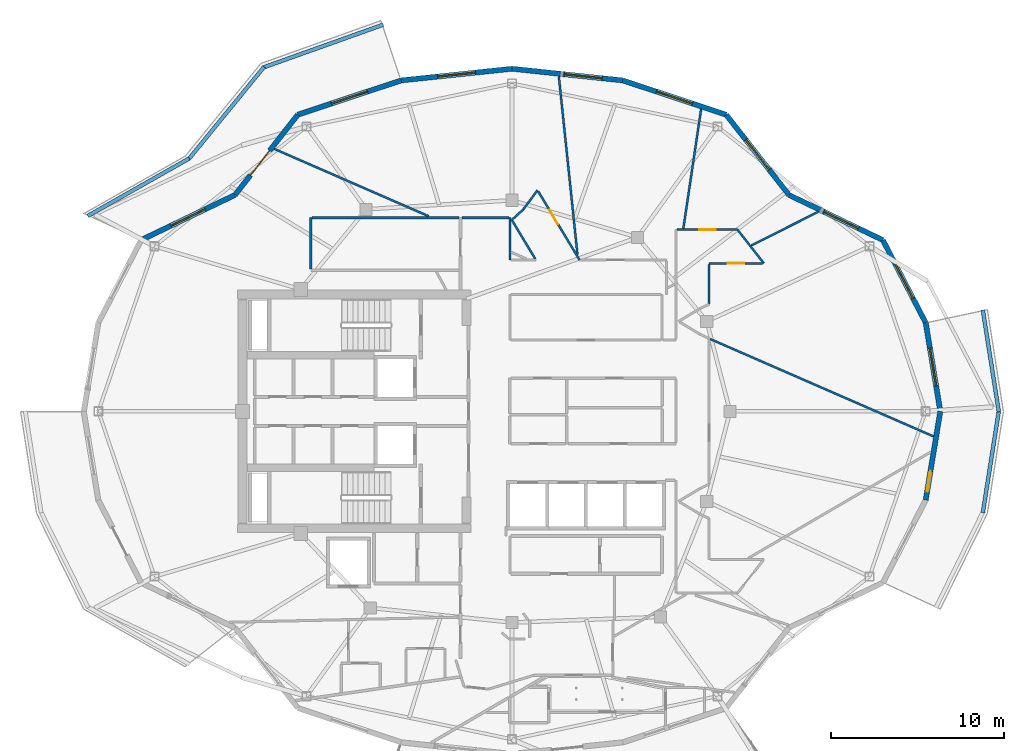
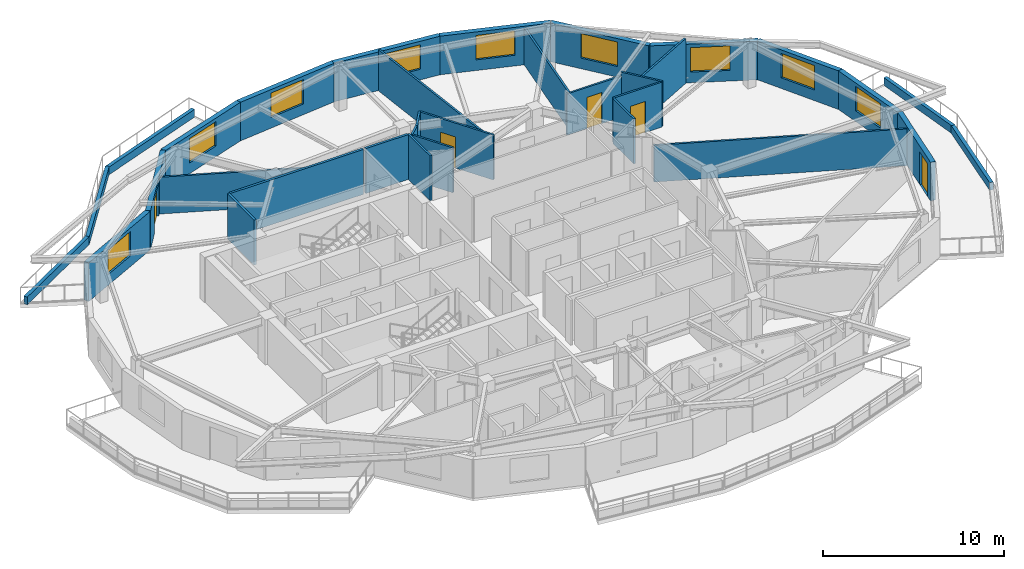
# One storey, part 7 of 18: 33 walls, 9 windows, 5 doors, 14 openings.
"""IFC4 building model written with IfcOpenShell, lengths in metres."""

from ifc_helpers import new_model, si_unit, direction, frame, frame_2d, origin, place, context, subcontext, project, spatial, rectangle, extrude, material, layer, layer_set, type_object, element, fill, save


model = new_model("IFC4")

# Units and contexts
model_context = context("Model", 3, precision=1e-05, world=origin(), true_north=direction((0.0, 1.0)))
body_context = subcontext(model_context, "Body", "Model", "MODEL_VIEW")
ifc_project = project(units=[si_unit("LENGTHUNIT", "METRE"), si_unit("AREAUNIT", "SQUARE_METRE"), si_unit("VOLUMEUNIT", "CUBIC_METRE"), si_unit("PLANEANGLEUNIT", "RADIAN"), si_unit("MASSUNIT", "GRAM", prefix="KILO")], contexts=[model_context])

# Site, building, storey
site_placement = place(None, origin())
site = spatial("IfcSite", under=ifc_project, at=site_placement, CompositionType="ELEMENT")
building_placement = place(site_placement, origin())
building = spatial("IfcBuilding", under=site, at=building_placement, Name="Kolvaren Gate Tower and Convention Centre", CompositionType="ELEMENT")
storey_placement = place(building_placement, frame((0.0, 0.0, 229.39990234375)))
storey = spatial("IfcBuildingStorey", under=building, at=storey_placement, Name="L61", CompositionType="ELEMENT", Elevation=229.39990234375)

# Walls
ifc_material_1 = material(Name="Fire-Rated Acoustic Gypsum Stud Partition", Category="gypsum")
ifc_layer_1 = layer(ifc_material_1, 0.1201171875)
ifc_layer_set_1 = layer_set([ifc_layer_1], Name="Fire-Rated Acoustic Gypsum Stud Partition")
wall_type_1 = type_object("IfcWallType", Name="ARCH-WL-PART-120", PredefinedType="PARTITIONING", material=ifc_layer_set_1)
wall_1_placement = place(storey_placement, frame((30.0, 35.75, 0.0), z_axis=(0.0, 0.0, 1.0), x_axis=(0.0, 1.0, 0.0)))
element("IfcWall", 1, at=wall_1_placement, inside=storey, type_object=wall_type_1, Name="Interior Partition WL-L61-INT-021", PredefinedType="PARTITIONING", context=body_context, shape_type="SweptSolid", body=[
    extrude(rectangle(XDim=2.449951171875, YDim=0.1201171875, at=frame_2d((1.22509765625, 0.0))), origin(), (0.0, 0.0, 1.0), 3.030029296875),
])
wall_2_placement = place(storey_placement, frame((30.114990234375, 38.05908203125, 0.0), z_axis=(0.0, 0.0, 1.0), x_axis=(0.516246227887, -0.85644020935, 0.0)))
element("IfcWall", 2, at=wall_2_placement, inside=storey, type_object=wall_type_1, Name="Interior Partition WL-L61-INT-039", PredefinedType="PARTITIONING", context=body_context, shape_type="SweptSolid", body=[
    extrude(rectangle(XDim=2.623779296875, YDim=0.1201171875, at=frame_2d((1.31201171875, 0.0))), origin(), (0.0, 0.0, 1.0), 3.030029296875),
])
wall_3_placement = place(storey_placement, frame((30.114990234375, 38.05908203125, 0.0), z_axis=(0.0, 0.0, 1.0), x_axis=(0.734991343239, 0.678076489316, 0.0)))
element("IfcWall", 3, at=wall_3_placement, inside=storey, type_object=wall_type_1, Name="Interior Partition WL-L61-INT-040", PredefinedType="PARTITIONING", context=body_context, shape_type="SweptSolid", body=[
    extrude(rectangle(XDim=0.896484375, YDim=0.1201171875, at=frame_2d((0.4482421875, 0.0))), origin(), (0.0, 0.0, 1.0), 3.030029296875),
])
wall_4_placement = place(storey_placement, frame((30.77392578125, 38.6669921875, 0.0), z_axis=(0.0, 0.0, 1.0), x_axis=(0.596019138224, 0.802970227885, 0.0)))
element("IfcWall", 4, at=wall_4_placement, inside=storey, type_object=wall_type_1, Name="Interior Partition WL-L61-INT-041", PredefinedType="PARTITIONING", context=body_context, shape_type="SweptSolid", body=[
    extrude(rectangle(XDim=1.38623046875, YDim=0.1201171875, at=frame_2d((0.693115234375, 0.0))), origin(), (0.0, 0.0, 1.0), 3.030029296875),
])

# Wall, opening, door
wall_5_placement = place(storey_placement, frame((31.634521484375, 39.72265625, 0.0), z_axis=(0.0, 0.0, 1.0), x_axis=(0.516340331217, -0.856383478565, 0.0)))
wall_5 = element("IfcWall", 5, at=wall_5_placement, inside=storey, type_object=wall_type_1, Name="Interior Partition WL-L61-INT-042", PredefinedType="PARTITIONING", context=body_context, shape_type="SweptSolid", body=[
    extrude(rectangle(XDim=4.62939453125, YDim=0.1201171875, at=frame_2d((2.314697265625, 0.0))), origin(), (0.0, 0.0, 1.0), 3.030029296875),
])
opening_1_placement = place(wall_5_placement, frame((1.27978515625, 0.0, 0.0)))
opening_1 = element("IfcOpeningElement", 6, at=opening_1_placement, cuts=wall_5, Name="Opening DR-01", PredefinedType="OPENING", context=body_context, shape_type="SweptSolid", body=[
    extrude(rectangle(XDim=0.949951171875, YDim=2.10009765625, at=frame_2d((0.47509765625, 1.050048828125))), frame((0.0, 0.070068359375, 0.0), z_axis=(0.0, -1.0, 0.0), x_axis=(1.0, 0.0, 0.0)), (0.0, 0.0, 1.0), 0.14013671875),
])
ifc_material_2 = material(Name="Painted Architectural Steelwork ASTM A500 Grade C 345 MPa", Category="steel")
door_type_1 = type_object("IfcDoorType", Name="ARCH-DR-RISER-950", OperationType="SINGLE_SWING_RIGHT", PredefinedType="DOOR", material=ifc_material_2)
door_1_placement = place(opening_1_placement, origin())
door_1 = element("IfcDoor", 7, at=door_1_placement, inside=storey, type_object=door_type_1, Name="Resident Private Study and Home Office Door", OperationType="SINGLE_SWING_LEFT", OverallHeight=2.10009765625, OverallWidth=0.949951171875, PredefinedType="DOOR", context=body_context, shape_type="SweptSolid", body=[
    extrude(rectangle(XDim=0.949951171875, YDim=2.10009765625, at=frame_2d((0.47509765625, 1.050048828125))), frame((0.0, 0.02490234375, 0.0), z_axis=(0.0, -1.0, 0.0), x_axis=(1.0, 0.0, 0.0)), (0.0, 0.0, 1.0), 0.050048828125),
])
fill(opening_1, door_1)

wall_6_placement = place(storey_placement, frame((39.662109375, 37.5, 0.0), z_axis=(0.0, 0.0, 1.0), x_axis=(1.0, 0.0, 0.0)))
wall_6 = element("IfcWall", 8, at=wall_6_placement, inside=storey, type_object=wall_type_1, Name="Interior Partition WL-L61-INT-047", PredefinedType="PARTITIONING", context=body_context, shape_type="SweptSolid", body=[
    extrude(rectangle(XDim=3.494873046875, YDim=0.1201171875, at=frame_2d((1.74755859375, 0.0))), origin(), (0.0, 0.0, 1.0), 2.77001953125),
])
opening_2_placement = place(wall_6_placement, frame((1.2724609375, 0.0, 0.0)))
opening_2 = element("IfcOpeningElement", 9, at=opening_2_placement, cuts=wall_6, Name="Opening DR-01", PredefinedType="OPENING", context=body_context, shape_type="SweptSolid", body=[
    extrude(rectangle(XDim=0.949951171875, YDim=2.10009765625, at=frame_2d((0.47509765625, 1.050048828125))), frame((0.0, 0.070068359375, 0.0), z_axis=(0.0, -1.0, 0.0), x_axis=(1.0, 0.0, 0.0)), (0.0, 0.0, 1.0), 0.14013671875),
])
door_2_placement = place(opening_2_placement, origin())
door_2 = element("IfcDoor", 10, at=door_2_placement, inside=storey, type_object=door_type_1, Name="Resident Reading Study Door", OperationType="SINGLE_SWING_LEFT", OverallHeight=2.10009765625, OverallWidth=0.949951171875, PredefinedType="DOOR", context=body_context, shape_type="SweptSolid", body=[
    extrude(rectangle(XDim=0.949951171875, YDim=2.10009765625, at=frame_2d((0.47509765625, 1.050048828125))), frame((0.0, 0.02490234375, 0.0), z_axis=(0.0, -1.0, 0.0), x_axis=(1.0, 0.0, 0.0)), (0.0, 0.0, 1.0), 0.050048828125),
])
fill(opening_2, door_2)

# Wall
wall_7_placement = place(storey_placement, frame((43.156982421875, 37.5, 0.0), z_axis=(0.0, 0.0, 1.0), x_axis=(0.616571357052, -0.78729902938, 0.0)))
element("IfcWall", 11, at=wall_7_placement, inside=storey, type_object=wall_type_1, Name="Interior Partition WL-L61-INT-048", PredefinedType="PARTITIONING", context=body_context, shape_type="SweptSolid", body=[
    extrude(rectangle(XDim=2.476806640625, YDim=0.1201171875, at=frame_2d((1.23828125, 0.0))), origin(), (0.0, 0.0, 1.0), 3.030029296875),
])

# Wall, opening, door
wall_8_placement = place(storey_placement, frame((41.52001953125, 35.550048828125, 0.0), z_axis=(0.0, 0.0, 1.0), x_axis=(1.0, 0.0, 0.0)))
wall_8 = element("IfcWall", 12, at=wall_8_placement, inside=storey, type_object=wall_type_1, Name="Interior Partition WL-L61-INT-049", PredefinedType="PARTITIONING", context=body_context, shape_type="SweptSolid", body=[
    extrude(rectangle(XDim=3.085205078125, YDim=0.1201171875, at=frame_2d((1.54248046875, 0.0))), origin(), (0.0, 0.0, 1.0), 3.030029296875),
])
opening_3_placement = place(wall_8_placement, frame((1.067626953125, 0.0, 0.0)))
opening_3 = element("IfcOpeningElement", 13, at=opening_3_placement, cuts=wall_8, Name="Opening DR-01", PredefinedType="OPENING", context=body_context, shape_type="SweptSolid", body=[
    extrude(rectangle(XDim=0.949951171875, YDim=2.10009765625, at=frame_2d((0.47509765625, 1.050048828125))), frame((0.0, 0.070068359375, 0.0), z_axis=(0.0, -1.0, 0.0), x_axis=(1.0, 0.0, 0.0)), (0.0, 0.0, 1.0), 0.14013671875),
])
door_3_placement = place(opening_3_placement, origin())
door_3 = element("IfcDoor", 14, at=door_3_placement, inside=storey, type_object=door_type_1, Name="Resident Private Study and Home Office Door", OperationType="SINGLE_SWING_RIGHT", OverallHeight=2.10009765625, OverallWidth=0.949951171875, PredefinedType="DOOR", context=body_context, shape_type="SweptSolid", body=[
    extrude(rectangle(XDim=0.949951171875, YDim=2.10009765625, at=frame_2d((0.47509765625, 1.050048828125))), frame((0.0, 0.02490234375, 0.0), z_axis=(0.0, -1.0, 0.0), x_axis=(1.0, 0.0, 0.0)), (0.0, 0.0, 1.0), 0.050048828125),
])
fill(opening_3, door_3)

# Walls
wall_9_placement = place(storey_placement, frame((41.52001953125, 33.193115234375, 0.0), z_axis=(0.0, 0.0, 1.0), x_axis=(0.0, 1.0, 0.0)))
element("IfcWall", 15, at=wall_9_placement, inside=storey, type_object=wall_type_1, Name="Interior Partition WL-L61-INT-052", PredefinedType="PARTITIONING", context=body_context, shape_type="SweptSolid", body=[
    extrude(rectangle(XDim=2.294921875, YDim=0.1201171875, at=frame_2d((1.1474609375, 0.0))), origin(), (0.0, 0.0, 1.0), 3.030029296875),
])
wall_10_placement = place(storey_placement, frame((16.391845703125, 42.165771484375, 0.0), z_axis=(0.0, 0.0, 1.0), x_axis=(0.916624998673, -0.399748185496, 0.0)))
element("IfcWall", 16, at=wall_10_placement, inside=storey, type_object=wall_type_1, Name="Interior Partition WL-L61-INT-100", PredefinedType="PARTITIONING", context=body_context, shape_type="SweptSolid", body=[
    extrude(rectangle(XDim=9.727783203125, YDim=0.1201171875, at=frame_2d((4.86376953125, 0.0))), origin(), (0.0, 0.0, 1.0), 2.47802734375),
])
wall_11_placement = place(storey_placement, frame((41.58203125, 31.179931640625, 0.0), z_axis=(0.0, 0.0, 1.0), x_axis=(0.916624100851, -0.399750244202, 0.0)))
element("IfcWall", 17, at=wall_11_placement, inside=storey, type_object=wall_type_1, Name="Interior Partition WL-L61-INT-102", PredefinedType="PARTITIONING", context=body_context, shape_type="SweptSolid", body=[
    extrude(rectangle(XDim=14.07421875, YDim=0.1201171875, at=frame_2d((7.037109375, 0.0))), origin(), (0.0, 0.0, 1.0), 2.47802734375),
])
wall_12_placement = place(storey_placement, frame((43.9541015625, 36.58251953125, 0.0), z_axis=(0.0, 0.0, 1.0), x_axis=(0.892589792595, 0.450869673139, 0.0)))
element("IfcWall", 18, at=wall_12_placement, inside=storey, type_object=wall_type_1, Name="Interior Partition WL-L61-INT-104", PredefinedType="PARTITIONING", context=body_context, shape_type="SweptSolid", body=[
    extrude(rectangle(XDim=4.32275390625, YDim=0.1201171875, at=frame_2d((2.161376953125, 0.0))), origin(), (0.0, 0.0, 1.0), 3.030029296875),
])
wall_13_placement = place(storey_placement, frame((40.026123046875, 37.56201171875, 0.0), z_axis=(0.0, 0.0, 1.0), x_axis=(0.147138038827, 0.989115967685, 0.0)))
element("IfcWall", 19, at=wall_13_placement, inside=storey, type_object=wall_type_1, Name="Interior Partition WL-L61-INT-105", PredefinedType="PARTITIONING", context=body_context, shape_type="SweptSolid", body=[
    extrude(rectangle(XDim=6.98046875, YDim=0.1201171875, at=frame_2d((3.490234375, 0.0))), origin(), (0.0, 0.0, 1.0), 2.47802734375),
])
wall_14_placement = place(storey_placement, frame((32.83154296875, 46.362060546875, 0.0), z_axis=(0.0, 0.0, 1.0), x_axis=(0.103942686354, -0.994583288595, 0.0)))
element("IfcWall", 20, at=wall_14_placement, inside=storey, type_object=wall_type_1, Name="Interior Partition WL-L61-INT-106", PredefinedType="PARTITIONING", context=body_context, shape_type="SweptSolid", body=[
    extrude(rectangle(XDim=10.34423828125, YDim=0.1201171875, at=frame_2d((5.172119140625, 0.0))), origin(), (0.0, 0.0, 1.0), 2.77001953125),
])
ifc_material_3 = material(Name="Piedmont Cream Honed Limestone Cladding", Category="masonry")
ifc_layer_2 = layer(ifc_material_3, 0.219970703125)
ifc_layer_set_2 = layer_set([ifc_layer_2], Name="Piedmont Cream Honed Limestone Cladding")
wall_type_2 = type_object("IfcWallType", Name="ARCH-WL-PLANTER-220", PredefinedType="PARAPET", material=ifc_layer_set_2)
wall_15_placement = place(storey_placement, frame((15.73681640625, 46.866455078125, 0.0), z_axis=(0.0, 0.0, 1.0), x_axis=(0.941780086523, 0.336229488042, 0.0)))
element("IfcWall", 21, at=wall_15_placement, inside=storey, type_object=wall_type_2, Name="Vertical-Forest Balcony Stone Planter Kerb PK-L61-1.1", PredefinedType="PARAPET", context=body_context, shape_type="SweptSolid", body=[
    extrude(rectangle(XDim=7.3779296875, YDim=0.219970703125, at=frame_2d((3.68896484375, 0.0))), origin(), (0.0, 0.0, 1.0), 0.52001953125),
])
wall_16_placement = place(storey_placement, frame((11.42724609375, 41.55859375, 0.0), z_axis=(0.0, 0.0, 1.0), x_axis=(0.632697312147, 0.774399193699, 0.0)))
element("IfcWall", 22, at=wall_16_placement, inside=storey, type_object=wall_type_2, Name="Vertical-Forest Balcony Stone Planter Kerb PK-L61-1.2", PredefinedType="PARAPET", context=body_context, shape_type="SweptSolid", body=[
    extrude(rectangle(XDim=6.9140625, YDim=0.219970703125, at=frame_2d((3.45703125, 0.0))), origin(), (0.0, 0.0, 1.0), 0.52001953125),
])
wall_17_placement = place(storey_placement, frame((5.6083984375, 38.29052734375, 0.0), z_axis=(0.0, 0.0, 1.0), x_axis=(0.869860619267, 0.493297580623, 0.0)))
element("IfcWall", 23, at=wall_17_placement, inside=storey, type_object=wall_type_2, Name="Vertical-Forest Balcony Stone Planter Kerb PK-L61-1.3", PredefinedType="PARAPET", context=body_context, shape_type="SweptSolid", body=[
    extrude(rectangle(XDim=6.74267578125, YDim=0.219970703125, at=frame_2d((3.371337890625, 0.0))), origin(), (0.0, 0.0, 1.0), 0.52001953125),
])
for number, where, z_axis, x_axis, name in (
    (24, (57.331787109375, 21.1376953125, 0.0), (0.0, 0.0, 1.0), (0.1550711793, 0.987903299595, 0.0), "Vertical-Forest Balcony Stone Planter Kerb PK-L61-4.2"),
    (25, (57.331787109375, 32.8623046875, 0.0), (0.0, 0.0, 1.0), (0.1550711793, -0.987903299595, 0.0), "Vertical-Forest Balcony Stone Planter Kerb PK-L61-4.3"),
):
    element("IfcWall", number, at=place(storey_placement, frame(where, z_axis=z_axis, x_axis=x_axis)), inside=storey, type_object=wall_type_2, Name=name, PredefinedType="PARAPET", context=body_context, shape_type="SweptSolid", body=[
        extrude(rectangle(XDim=5.963623046875, YDim=0.219970703125, at=frame_2d((2.98193359375, 0.0))), origin(), (0.0, 0.0, 1.0), 0.52001953125),
    ])

# Wall, opening, window
ifc_layer_3 = layer(ifc_material_3, 0.300048828125)
ifc_layer_set_3 = layer_set([ifc_layer_3], Name="Piedmont Cream Honed Limestone Cladding")
wall_type_3 = type_object("IfcWallType", Name="ARCH-WL-STONE-300", PredefinedType="SOLIDWALL", material=ifc_layer_set_3)
wall_18_placement = place(storey_placement, frame((54.03173828125, 32.12451171875, 0.0), z_axis=(0.0, 0.0, 1.0), x_axis=(0.16237087798, -0.986729799886, 0.0)))
wall_18 = element("IfcWall", 26, at=wall_18_placement, inside=storey, type_object=wall_type_3, Name="Tower L61 Honed Stone Spandrel Wall EW-00", PredefinedType="SOLIDWALL", context=body_context, shape_type="SweptSolid", body=[
    extrude(rectangle(XDim=5.193359375, YDim=0.300048828125, at=frame_2d((2.5966796875, 0.0))), origin(), (0.0, 0.0, 1.0), 2.60498046875),
])
opening_4_placement = place(wall_18_placement, frame((1.4970703125, 0.0, 0.719970703125)))
opening_4 = element("IfcOpeningElement", 27, at=opening_4_placement, cuts=wall_18, Name="Opening W-03", PredefinedType="OPENING", context=body_context, shape_type="SweptSolid", body=[
    extrude(rectangle(XDim=2.199951171875, YDim=1.64990234375, at=frame_2d((1.10009765625, 0.824951171875))), frame((0.0, 0.159912109375, 0.0), z_axis=(0.0, -1.0, 0.0), x_axis=(1.0, 0.0, 0.0)), (0.0, 0.0, 1.0), 0.320068359375),
])
ifc_material_4 = material(Name="Low-E Triple Insulated Glazing Unit 44 mm", Category="glass")
window_type = type_object("IfcWindowType", Name="ARCH-WN-RES-2200", PartitioningType="SINGLE_PANEL", PredefinedType="WINDOW", material=ifc_material_4)
window_1_placement = place(opening_4_placement, origin())
window_1 = element("IfcWindow", 28, at=window_1_placement, inside=storey, type_object=window_type, Name="Tower L61 Punched Stone Facade Window W-00", OverallHeight=1.64990234375, OverallWidth=2.199951171875, PartitioningType="SINGLE_PANEL", PredefinedType="WINDOW", context=body_context, shape_type="SweptSolid", body=[
    extrude(rectangle(XDim=2.199951171875, YDim=1.64990234375, at=frame_2d((1.10009765625, 0.824951171875))), frame((0.0, 0.030029296875, 0.0), z_axis=(0.0, -1.0, 0.0), x_axis=(1.0, 0.0, 0.0)), (0.0, 0.0, 1.0), 0.06005859375),
])
fill(opening_4, window_1)

wall_19_placement = place(storey_placement, frame((51.55908203125, 36.89990234375, 0.0), z_axis=(0.0, 0.0, 1.0), x_axis=(0.459808219482, -0.888018243786, 0.0)))
wall_19 = element("IfcWall", 29, at=wall_19_placement, inside=storey, type_object=wall_type_3, Name="Tower L61 Honed Stone Spandrel Wall EW-01", PredefinedType="SOLIDWALL", context=body_context, shape_type="SweptSolid", body=[
    extrude(rectangle(XDim=5.377685546875, YDim=0.300048828125, at=frame_2d((2.68896484375, 0.0))), origin(), (0.0, 0.0, 1.0), 2.60498046875),
])
opening_5_placement = place(wall_19_placement, frame((1.589111328125, 0.0, 0.719970703125)))
opening_5 = element("IfcOpeningElement", 30, at=opening_5_placement, cuts=wall_19, Name="Opening W-03", PredefinedType="OPENING", context=body_context, shape_type="SweptSolid", body=[
    extrude(rectangle(XDim=2.199951171875, YDim=1.64990234375, at=frame_2d((1.10009765625, 0.824951171875))), frame((0.0, 0.159912109375, 0.0), z_axis=(0.0, -1.0, 0.0), x_axis=(1.0, 0.0, 0.0)), (0.0, 0.0, 1.0), 0.320068359375),
])
window_2_placement = place(opening_5_placement, origin())
window_2 = element("IfcWindow", 31, at=window_2_placement, inside=storey, type_object=window_type, Name="Tower L61 Punched Stone Facade Window W-01", OverallHeight=1.64990234375, OverallWidth=2.199951171875, PartitioningType="SINGLE_PANEL", PredefinedType="WINDOW", context=body_context, shape_type="SweptSolid", body=[
    extrude(rectangle(XDim=2.199951171875, YDim=1.64990234375, at=frame_2d((1.10009765625, 0.824951171875))), frame((0.0, 0.030029296875, 0.0), z_axis=(0.0, -1.0, 0.0), x_axis=(1.0, 0.0, 0.0)), (0.0, 0.0, 1.0), 0.06005859375),
])
fill(opening_5, window_2)

wall_20_placement = place(storey_placement, frame((46.132568359375, 39.50732421875, 0.0), z_axis=(0.0, 0.0, 1.0), x_axis=(0.901348331142, -0.433094892545, 0.0)))
wall_20 = element("IfcWall", 32, at=wall_20_placement, inside=storey, type_object=wall_type_3, Name="Tower L61 Honed Stone Spandrel Wall EW-02", PredefinedType="SOLIDWALL", context=body_context, shape_type="SweptSolid", body=[
    extrude(rectangle(XDim=6.0205078125, YDim=0.300048828125, at=frame_2d((3.01025390625, 0.0))), origin(), (0.0, 0.0, 1.0), 2.60498046875),
])
opening_6_placement = place(wall_20_placement, frame((2.25, 0.0, 0.719970703125)))
opening_6 = element("IfcOpeningElement", 33, at=opening_6_placement, cuts=wall_20, Name="Opening W-03", PredefinedType="OPENING", context=body_context, shape_type="SweptSolid", body=[
    extrude(rectangle(XDim=2.199951171875, YDim=1.64990234375, at=frame_2d((1.10009765625, 0.824951171875))), frame((0.0, 0.159912109375, 0.0), z_axis=(0.0, -1.0, 0.0), x_axis=(1.0, 0.0, 0.0)), (0.0, 0.0, 1.0), 0.320068359375),
])
window_3_placement = place(opening_6_placement, origin())
window_3 = element("IfcWindow", 34, at=window_3_placement, inside=storey, type_object=window_type, Name="Tower L61 Punched Stone Facade Window W-02", OverallHeight=1.64990234375, OverallWidth=2.199951171875, PartitioningType="SINGLE_PANEL", PredefinedType="WINDOW", context=body_context, shape_type="SweptSolid", body=[
    extrude(rectangle(XDim=2.199951171875, YDim=1.64990234375, at=frame_2d((1.10009765625, 0.824951171875))), frame((0.0, 0.030029296875, 0.0), z_axis=(0.0, -1.0, 0.0), x_axis=(1.0, 0.0, 0.0)), (0.0, 0.0, 1.0), 0.06005859375),
])
fill(opening_6, window_3)

wall_21_placement = place(storey_placement, frame((42.5, 44.147216796875, 0.0), z_axis=(0.0, 0.0, 1.0), x_axis=(0.616450126935, -0.787393955401, 0.0)))
wall_21 = element("IfcWall", 35, at=wall_21_placement, inside=storey, type_object=wall_type_3, Name="Tower L61 Honed Stone Spandrel Wall EW-03", PredefinedType="SOLIDWALL", context=body_context, shape_type="SweptSolid", body=[
    extrude(rectangle(XDim=5.892822265625, YDim=0.300048828125, at=frame_2d((2.9462890625, 0.0))), origin(), (0.0, 0.0, 1.0), 2.60498046875),
])
opening_7_placement = place(wall_21_placement, frame((1.845947265625, 0.0, 0.719970703125)))
opening_7 = element("IfcOpeningElement", 36, at=opening_7_placement, cuts=wall_21, Name="Opening W-03", PredefinedType="OPENING", context=body_context, shape_type="SweptSolid", body=[
    extrude(rectangle(XDim=2.199951171875, YDim=1.64990234375, at=frame_2d((1.10009765625, 0.824951171875))), frame((0.0, 0.159912109375, 0.0), z_axis=(0.0, -1.0, 0.0), x_axis=(1.0, 0.0, 0.0)), (0.0, 0.0, 1.0), 0.320068359375),
])
window_4_placement = place(opening_7_placement, origin())
window_4 = element("IfcWindow", 37, at=window_4_placement, inside=storey, type_object=window_type, Name="Tower L61 Punched Stone Facade Window W-03", OverallHeight=1.64990234375, OverallWidth=2.199951171875, PartitioningType="SINGLE_PANEL", PredefinedType="WINDOW", context=body_context, shape_type="SweptSolid", body=[
    extrude(rectangle(XDim=2.199951171875, YDim=1.64990234375, at=frame_2d((1.10009765625, 0.824951171875))), frame((0.0, 0.030029296875, 0.0), z_axis=(0.0, -1.0, 0.0), x_axis=(1.0, 0.0, 0.0)), (0.0, 0.0, 1.0), 0.06005859375),
])
fill(opening_7, window_4)

wall_22_placement = place(storey_placement, frame((36.53076171875, 46.125244140625, 0.0), z_axis=(0.0, 0.0, 1.0), x_axis=(0.949240877604, -0.314550085495, 0.0)))
wall_22 = element("IfcWall", 38, at=wall_22_placement, inside=storey, type_object=wall_type_3, Name="Tower L61 Honed Stone Spandrel Wall EW-04", PredefinedType="SOLIDWALL", context=body_context, shape_type="SweptSolid", body=[
    extrude(rectangle(XDim=6.288330078125, YDim=0.300048828125, at=frame_2d((3.14404296875, 0.0))), origin(), (0.0, 0.0, 1.0), 2.60498046875),
])
opening_8_placement = place(wall_22_placement, frame((2.0439453125, 0.0, 0.719970703125)))
opening_8 = element("IfcOpeningElement", 39, at=opening_8_placement, cuts=wall_22, Name="Opening W-03", PredefinedType="OPENING", context=body_context, shape_type="SweptSolid", body=[
    extrude(rectangle(XDim=2.199951171875, YDim=1.64990234375, at=frame_2d((1.10009765625, 0.824951171875))), frame((0.0, 0.159912109375, 0.0), z_axis=(0.0, -1.0, 0.0), x_axis=(1.0, 0.0, 0.0)), (0.0, 0.0, 1.0), 0.320068359375),
])
window_5_placement = place(opening_8_placement, origin())
window_5 = element("IfcWindow", 40, at=window_5_placement, inside=storey, type_object=window_type, Name="Tower L61 Punched Stone Facade Window W-04", OverallHeight=1.64990234375, OverallWidth=2.199951171875, PartitioningType="SINGLE_PANEL", PredefinedType="WINDOW", context=body_context, shape_type="SweptSolid", body=[
    extrude(rectangle(XDim=2.199951171875, YDim=1.64990234375, at=frame_2d((1.10009765625, 0.824951171875))), frame((0.0, 0.030029296875, 0.0), z_axis=(0.0, -1.0, 0.0), x_axis=(1.0, 0.0, 0.0)), (0.0, 0.0, 1.0), 0.06005859375),
])
fill(opening_8, window_5)

wall_23_placement = place(storey_placement, frame((30.125, 46.800048828125, 0.0), z_axis=(0.0, 0.0, 1.0), x_axis=(0.994497142298, -0.104763705363, 0.0)))
wall_23 = element("IfcWall", 41, at=wall_23_placement, inside=storey, type_object=wall_type_3, Name="Tower L61 Honed Stone Spandrel Wall EW-05", PredefinedType="SOLIDWALL", context=body_context, shape_type="SweptSolid", body=[
    extrude(rectangle(XDim=6.441162109375, YDim=0.300048828125, at=frame_2d((3.220703125, 0.0))), origin(), (0.0, 0.0, 1.0), 2.60498046875),
])
opening_9_placement = place(wall_23_placement, frame((3.050048828125, 0.0, 0.719970703125)))
opening_9 = element("IfcOpeningElement", 42, at=opening_9_placement, cuts=wall_23, Name="Opening W-03", PredefinedType="OPENING", context=body_context, shape_type="SweptSolid", body=[
    extrude(rectangle(XDim=2.199951171875, YDim=1.64990234375, at=frame_2d((1.10009765625, 0.824951171875))), frame((0.0, 0.159912109375, 0.0), z_axis=(0.0, -1.0, 0.0), x_axis=(1.0, 0.0, 0.0)), (0.0, 0.0, 1.0), 0.320068359375),
])
window_6_placement = place(opening_9_placement, origin())
window_6 = element("IfcWindow", 43, at=window_6_placement, inside=storey, type_object=window_type, Name="Tower L61 Punched Stone Facade Window W-05", OverallHeight=1.64990234375, OverallWidth=2.199951171875, PartitioningType="SINGLE_PANEL", PredefinedType="WINDOW", context=body_context, shape_type="SweptSolid", body=[
    extrude(rectangle(XDim=2.199951171875, YDim=1.64990234375, at=frame_2d((1.10009765625, 0.824951171875))), frame((0.0, 0.030029296875, 0.0), z_axis=(0.0, -1.0, 0.0), x_axis=(1.0, 0.0, 0.0)), (0.0, 0.0, 1.0), 0.06005859375),
])
fill(opening_9, window_6)

wall_24_placement = place(storey_placement, frame((23.71923828125, 46.125244140625, 0.0), z_axis=(0.0, 0.0, 1.0), x_axis=(0.994497142298, 0.104763705363, 0.0)))
wall_24 = element("IfcWall", 44, at=wall_24_placement, inside=storey, type_object=wall_type_3, Name="Tower L61 Honed Stone Spandrel Wall EW-06", PredefinedType="SOLIDWALL", context=body_context, shape_type="SweptSolid", body=[
    extrude(rectangle(XDim=6.441162109375, YDim=0.300048828125, at=frame_2d((3.220703125, 0.0))), origin(), (0.0, 0.0, 1.0), 2.60498046875),
])
opening_10_placement = place(wall_24_placement, frame((2.12109375, 0.0, 0.719970703125)))
opening_10 = element("IfcOpeningElement", 45, at=opening_10_placement, cuts=wall_24, Name="Opening W-03", PredefinedType="OPENING", context=body_context, shape_type="SweptSolid", body=[
    extrude(rectangle(XDim=2.199951171875, YDim=1.64990234375, at=frame_2d((1.10009765625, 0.824951171875))), frame((0.0, 0.159912109375, 0.0), z_axis=(0.0, -1.0, 0.0), x_axis=(1.0, 0.0, 0.0)), (0.0, 0.0, 1.0), 0.320068359375),
])
window_7_placement = place(opening_10_placement, origin())
window_7 = element("IfcWindow", 46, at=window_7_placement, inside=storey, type_object=window_type, Name="Tower L61 Punched Stone Facade Window W-06", OverallHeight=1.64990234375, OverallWidth=2.199951171875, PartitioningType="SINGLE_PANEL", PredefinedType="WINDOW", context=body_context, shape_type="SweptSolid", body=[
    extrude(rectangle(XDim=2.199951171875, YDim=1.64990234375, at=frame_2d((1.10009765625, 0.824951171875))), frame((0.0, 0.030029296875, 0.0), z_axis=(0.0, -1.0, 0.0), x_axis=(1.0, 0.0, 0.0)), (0.0, 0.0, 1.0), 0.06005859375),
])
fill(opening_10, window_7)

wall_25_placement = place(storey_placement, frame((17.75, 44.147216796875, 0.0), z_axis=(0.0, 0.0, 1.0), x_axis=(0.949240877604, 0.314550085495, 0.0)))
wall_25 = element("IfcWall", 47, at=wall_25_placement, inside=storey, type_object=wall_type_3, Name="Tower L61 Honed Stone Spandrel Wall EW-07", PredefinedType="SOLIDWALL", context=body_context, shape_type="SweptSolid", body=[
    extrude(rectangle(XDim=6.288330078125, YDim=0.300048828125, at=frame_2d((3.14404296875, 0.0))), origin(), (0.0, 0.0, 1.0), 2.60498046875),
])
opening_11_placement = place(wall_25_placement, frame((2.0439453125, 0.0, 0.719970703125)))
opening_11 = element("IfcOpeningElement", 48, at=opening_11_placement, cuts=wall_25, Name="Opening W-03", PredefinedType="OPENING", context=body_context, shape_type="SweptSolid", body=[
    extrude(rectangle(XDim=2.199951171875, YDim=1.64990234375, at=frame_2d((1.10009765625, 0.824951171875))), frame((0.0, 0.159912109375, 0.0), z_axis=(0.0, -1.0, 0.0), x_axis=(1.0, 0.0, 0.0)), (0.0, 0.0, 1.0), 0.320068359375),
])
window_8_placement = place(opening_11_placement, origin())
window_8 = element("IfcWindow", 49, at=window_8_placement, inside=storey, type_object=window_type, Name="Tower L61 Punched Stone Facade Window W-07", OverallHeight=1.64990234375, OverallWidth=2.199951171875, PartitioningType="SINGLE_PANEL", PredefinedType="WINDOW", context=body_context, shape_type="SweptSolid", body=[
    extrude(rectangle(XDim=2.199951171875, YDim=1.64990234375, at=frame_2d((1.10009765625, 0.824951171875))), frame((0.0, 0.030029296875, 0.0), z_axis=(0.0, -1.0, 0.0), x_axis=(1.0, 0.0, 0.0)), (0.0, 0.0, 1.0), 0.06005859375),
])
fill(opening_11, window_8)

# Wall, opening, door
wall_26_placement = place(storey_placement, frame((14.117431640625, 39.50732421875, 0.0), z_axis=(0.0, 0.0, 1.0), x_axis=(0.616450126935, 0.787393955401, 0.0)))
wall_26 = element("IfcWall", 50, at=wall_26_placement, inside=storey, type_object=wall_type_3, Name="Tower L61 Honed Stone Spandrel Wall EW-08", PredefinedType="SOLIDWALL", context=body_context, shape_type="SweptSolid", body=[
    extrude(rectangle(XDim=5.892822265625, YDim=0.300048828125, at=frame_2d((2.9462890625, 0.0))), origin(), (0.0, 0.0, 1.0), 2.60498046875),
])
opening_12_placement = place(wall_26_placement, frame((1.449951171875, 0.0, 0.0)))
opening_12 = element("IfcOpeningElement", 51, at=opening_12_placement, cuts=wall_26, Name="Opening DB-01", PredefinedType="OPENING", context=body_context, shape_type="SweptSolid", body=[
    extrude(rectangle(XDim=1.800048828125, YDim=2.25, at=frame_2d((0.89990234375, 1.125))), frame((0.0, 0.159912109375, 0.0), z_axis=(0.0, -1.0, 0.0), x_axis=(1.0, 0.0, 0.0)), (0.0, 0.0, 1.0), 0.320068359375),
])
ifc_material_5 = material(Name="Anodized Architectural Aluminium Alloy 6063-T6", Category="aluminium")
door_type_2 = type_object("IfcDoorType", Name="ARCH-DR-BALC-1800", OperationType="SLIDING_TO_LEFT", PredefinedType="DOOR", material=ifc_material_5)
door_4_placement = place(opening_12_placement, origin())
door_4 = element("IfcDoor", 52, at=door_4_placement, inside=storey, type_object=door_type_2, Name="Planted Sky Terrace Access Door DB-L61-08", OperationType="SLIDING_TO_LEFT", OverallHeight=2.25, OverallWidth=1.800048828125, PredefinedType="DOOR", context=body_context, shape_type="SweptSolid", body=[
    extrude(rectangle(XDim=1.800048828125, YDim=2.25, at=frame_2d((0.89990234375, 1.125))), frame((0.0, 0.02490234375, 0.0), z_axis=(0.0, -1.0, 0.0), x_axis=(1.0, 0.0, 0.0)), (0.0, 0.0, 1.0), 0.050048828125),
])
fill(opening_12, door_4)

# Wall, opening, window
wall_27_placement = place(storey_placement, frame((8.69091796875, 36.89990234375, 0.0), z_axis=(0.0, 0.0, 1.0), x_axis=(0.901348331142, 0.433094892545, 0.0)))
wall_27 = element("IfcWall", 53, at=wall_27_placement, inside=storey, type_object=wall_type_3, Name="Tower L61 Honed Stone Spandrel Wall EW-09", PredefinedType="SOLIDWALL", context=body_context, shape_type="SweptSolid", body=[
    extrude(rectangle(XDim=6.0205078125, YDim=0.300048828125, at=frame_2d((3.01025390625, 0.0))), origin(), (0.0, 0.0, 1.0), 2.60498046875),
])
opening_13_placement = place(wall_27_placement, frame((1.909912109375, 0.0, 0.719970703125)))
opening_13 = element("IfcOpeningElement", 54, at=opening_13_placement, cuts=wall_27, Name="Opening W-03", PredefinedType="OPENING", context=body_context, shape_type="SweptSolid", body=[
    extrude(rectangle(XDim=2.199951171875, YDim=1.64990234375, at=frame_2d((1.10009765625, 0.824951171875))), frame((0.0, 0.159912109375, 0.0), z_axis=(0.0, -1.0, 0.0), x_axis=(1.0, 0.0, 0.0)), (0.0, 0.0, 1.0), 0.320068359375),
])
window_9_placement = place(opening_13_placement, origin())
window_9 = element("IfcWindow", 55, at=window_9_placement, inside=storey, type_object=window_type, Name="Tower L61 Punched Stone Facade Window W-09", OverallHeight=1.64990234375, OverallWidth=2.199951171875, PartitioningType="SINGLE_PANEL", PredefinedType="WINDOW", context=body_context, shape_type="SweptSolid", body=[
    extrude(rectangle(XDim=2.199951171875, YDim=1.64990234375, at=frame_2d((1.10009765625, 0.824951171875))), frame((0.0, 0.030029296875, 0.0), z_axis=(0.0, -1.0, 0.0), x_axis=(1.0, 0.0, 0.0)), (0.0, 0.0, 1.0), 0.06005859375),
])
fill(opening_13, window_9)

# Wall, opening, door
wall_28_placement = place(storey_placement, frame((54.03173828125, 21.87548828125, 0.0), z_axis=(0.0, 0.0, 1.0), x_axis=(0.16237087798, 0.986729799886, 0.0)))
wall_28 = element("IfcWall", 56, at=wall_28_placement, inside=storey, type_object=wall_type_3, Name="Tower L61 Honed Stone Spandrel Wall EW-23", PredefinedType="SOLIDWALL", context=body_context, shape_type="SweptSolid", body=[
    extrude(rectangle(XDim=5.193359375, YDim=0.300048828125, at=frame_2d((2.5966796875, 0.0))), origin(), (0.0, 0.0, 1.0), 2.60498046875),
])
opening_14_placement = place(wall_28_placement, frame((0.5, 0.0, 0.0)))
opening_14 = element("IfcOpeningElement", 57, at=opening_14_placement, cuts=wall_28, Name="Opening DB-02", PredefinedType="OPENING", context=body_context, shape_type="SweptSolid", body=[
    extrude(rectangle(XDim=1.199951171875, YDim=2.199951171875, at=frame_2d((0.60009765625, 1.10009765625))), frame((0.0, 0.159912109375, 0.0), z_axis=(0.0, -1.0, 0.0), x_axis=(1.0, 0.0, 0.0)), (0.0, 0.0, 1.0), 0.320068359375),
])
door_type_3 = type_object("IfcDoorType", Name="ARCH-DR-BALC-1200", OperationType="NOTDEFINED", PredefinedType="DOOR", material=ifc_material_5)
door_5_placement = place(opening_14_placement, frame((1.199951171875, 0.0, 0.0), z_axis=(0.0, 0.0, 1.0), x_axis=(-1.0, 0.0, 0.0)))
door_5 = element("IfcDoor", 58, at=door_5_placement, inside=storey, type_object=door_type_3, Name="Planted Sky Terrace Access Door DB-L61-23", OperationType="SLIDING_TO_LEFT", OverallHeight=2.199951171875, OverallWidth=1.199951171875, PredefinedType="DOOR", context=body_context, shape_type="SweptSolid", body=[
    extrude(rectangle(XDim=1.199951171875, YDim=2.199951171875, at=frame_2d((0.60009765625, 1.10009765625))), frame((0.0, 0.02490234375, 0.0), z_axis=(0.0, -1.0, 0.0), x_axis=(1.0, 0.0, 0.0)), (0.0, 0.0, 1.0), 0.050048828125),
])
fill(opening_14, door_5)

# Walls
ifc_material_6 = material(Name="Moisture-Resistant Cement-Board Acoustic Partition", Category="gypsum")
ifc_layer_4 = layer(ifc_material_6, 0.14990234375)
ifc_layer_set_4 = layer_set([ifc_layer_4], Name="Moisture-Resistant Cement-Board Acoustic Partition")
wall_type_4 = type_object("IfcWallType", Name="ARCH-WL-WET-150", PredefinedType="PARTITIONING", material=ifc_layer_set_4)
wall_29_placement = place(storey_placement, frame((18.5, 35.237060546875, 0.0), z_axis=(0.0, 0.0, 1.0), x_axis=(0.0, 1.0, 0.0)))
element("IfcWall", 59, at=wall_29_placement, inside=storey, type_object=wall_type_4, Name="Interior Partition WL-L61-INT-035", PredefinedType="PARTITIONING", context=body_context, shape_type="SweptSolid", body=[
    extrude(rectangle(XDim=2.962890625, YDim=0.14990234375, at=frame_2d((1.4814453125, 0.0))), origin(), (0.0, 0.0, 1.0), 3.030029296875),
])
wall_30_placement = place(storey_placement, frame((18.576904296875, 38.199951171875, 0.0), z_axis=(0.0, 0.0, 1.0), x_axis=(1.0, 0.0, 0.0)))
element("IfcWall", 60, at=wall_30_placement, inside=storey, type_object=wall_type_4, Name="Interior Partition WL-L61-INT-036", PredefinedType="PARTITIONING", context=body_context, shape_type="SweptSolid", body=[
    extrude(rectangle(XDim=8.49609375, YDim=0.14990234375, at=frame_2d((4.248046875, 0.0))), origin(), (0.0, 0.0, 1.0), 3.030029296875),
])
wall_31_placement = place(storey_placement, frame((27.22705078125, 38.199951171875, 0.0), z_axis=(0.0, 0.0, 1.0), x_axis=(1.0, 0.0, 0.0)))
element("IfcWall", 61, at=wall_31_placement, inside=storey, type_object=wall_type_4, Name="Interior Partition WL-L61-INT-036 (2)", PredefinedType="PARTITIONING", context=body_context, shape_type="SweptSolid", body=[
    extrude(rectangle(XDim=2.7109375, YDim=0.14990234375, at=frame_2d((1.35546875, 0.0))), origin(), (0.0, 0.0, 1.0), 3.030029296875),
])

save(model, "model.ifc")
